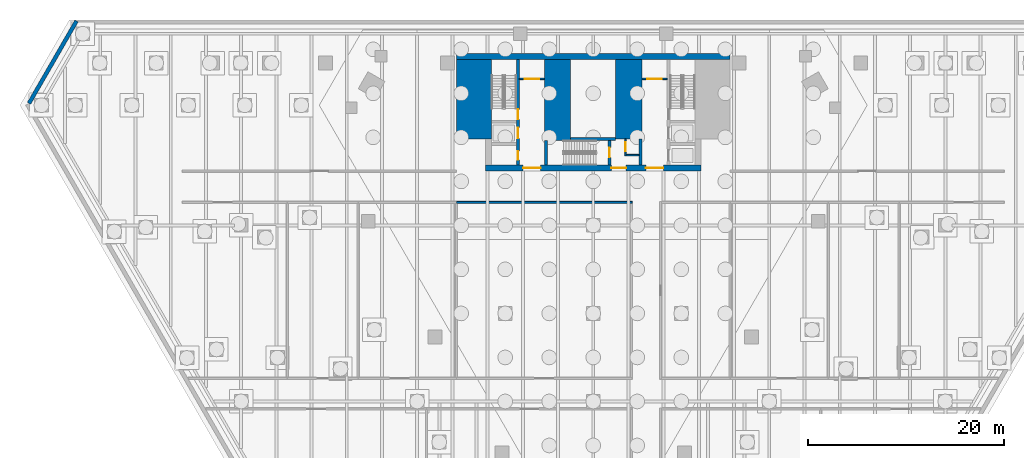
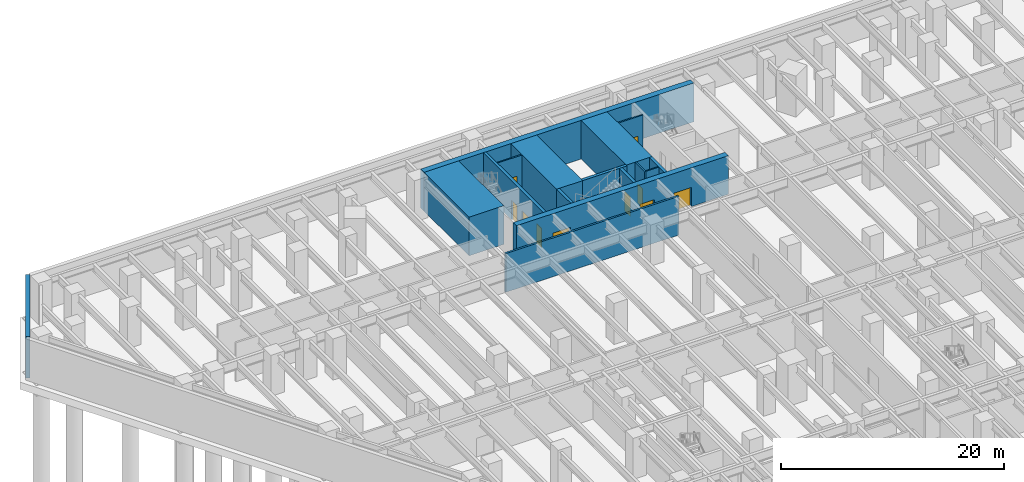
# One storey, part 12 of 18: 16 walls, 10 doors, 10 openings.
"""IFC4 building model written with IfcOpenShell, lengths in metres."""

from ifc_helpers import new_model, si_unit, direction, frame, frame_2d, origin, place, context, subcontext, project, spatial, rectangle, extrude, material, layer, layer_set, type_object, element, fill, save


model = new_model("IFC4")

# Units and contexts
model_context = context("Model", 3, precision=1e-05, world=origin(), true_north=direction((0.0, 1.0)))
body_context = subcontext(model_context, "Body", "Model", "MODEL_VIEW")
ifc_project = project(units=[si_unit("LENGTHUNIT", "METRE"), si_unit("AREAUNIT", "SQUARE_METRE"), si_unit("VOLUMEUNIT", "CUBIC_METRE"), si_unit("PLANEANGLEUNIT", "RADIAN"), si_unit("MASSUNIT", "GRAM", prefix="KILO")], contexts=[model_context])

# Site, building, storey
site_placement = place(None, origin())
site = spatial("IfcSite", under=ifc_project, at=site_placement, CompositionType="ELEMENT")
building_placement = place(site_placement, origin())
building = spatial("IfcBuilding", under=site, at=building_placement, Name="Aloe Facet Convention Tower", CompositionType="ELEMENT")
storey_placement = place(building_placement, frame((0.0, 0.0, -9.0)))
storey = spatial("IfcBuildingStorey", under=building, at=storey_placement, Name="B2", CompositionType="ELEMENT", Elevation=-9.0)

# Wall, opening, door
ifc_material_1 = material(Name="Concrete blockwork partition", Category="masonry")
ifc_layer_1 = layer(ifc_material_1, 0.14990234375)
ifc_layer_set_1 = layer_set([ifc_layer_1], Name="CR-W-PART150")
wall_type_1 = type_object("IfcWallType", Name="CR-W-PART150", PredefinedType="PARTITIONING", material=ifc_layer_set_1)
wall_1_placement = place(storey_placement, frame((72.449951171875, 131.97509765625, 0.0), z_axis=(0.0, 0.0, 1.0), x_axis=(1.0, 0.0, 0.0)))
wall_1 = element("IfcWall", 1, at=wall_1_placement, inside=storey, type_object=wall_type_1, Name="Core partition B2-008", PredefinedType="PARTITIONING", context=body_context, shape_type="SweptSolid", body=[
    extrude(rectangle(XDim=2.550048828125, YDim=0.14990234375, at=frame_2d((1.27490234375, 0.0))), origin(), (0.0, 0.0, 1.0), 4.25),
])
opening_1_placement = place(wall_1_placement, frame((0.52490234375, 0.0, 0.0)))
opening_1 = element("IfcOpeningElement", 2, at=opening_1_placement, cuts=wall_1, Name="Opening B2-CD08", PredefinedType="OPENING", context=body_context, shape_type="SweptSolid", body=[
    extrude(rectangle(XDim=1.5, YDim=2.10009765625, at=frame_2d((0.75, 1.050048828125))), frame((0.0, 0.0849609375, 0.0), z_axis=(0.0, -1.0, 0.0), x_axis=(1.0, 0.0, 0.0)), (0.0, 0.0, 1.0), 0.169921875),
])
ifc_material_2 = material(Name="Steel fire-resisting door set FD60", Category="steel")
door_type_1 = type_object("IfcDoorType", Name="CR-D-REFUGE-1500-FD60-DD", OperationType="DOUBLE_DOOR_DOUBLE_SWING", PredefinedType="DOOR", material=ifc_material_2)
door_1_placement = place(opening_1_placement, origin())
door_1 = element("IfcDoor", 3, at=door_1_placement, inside=storey, type_object=door_type_1, Name="Core door B2-CD08", OperationType="DOUBLE_DOOR_DOUBLE_SWING", OverallHeight=2.10009765625, OverallWidth=1.5, PredefinedType="DOOR", context=body_context, shape_type="SweptSolid", body=[
    extrude(rectangle(XDim=1.5, YDim=2.10009765625, at=frame_2d((0.75, 1.050048828125))), frame((0.0, 0.02490234375, 0.0), z_axis=(0.0, -1.0, 0.0), x_axis=(1.0, 0.0, 0.0)), (0.0, 0.0, 1.0), 0.050048828125),
])
fill(opening_1, door_1)

wall_2_placement = place(storey_placement, frame((83.27490234375, 125.85009765625, 0.0), z_axis=(0.0, 0.0, 1.0), x_axis=(0.0, -1.0, 0.0)))
wall_2 = element("IfcWall", 4, at=wall_2_placement, inside=storey, type_object=wall_type_1, Name="Core partition B2-014", PredefinedType="PARTITIONING", context=body_context, shape_type="SweptSolid", body=[
    extrude(rectangle(XDim=1.75, YDim=0.14990234375, at=frame_2d((0.875, 0.0))), origin(), (0.0, 0.0, 1.0), 4.25),
])
opening_2_placement = place(wall_2_placement, frame((0.35009765625, 0.0, 0.0)))
opening_2 = element("IfcOpeningElement", 5, at=opening_2_placement, cuts=wall_2, Name="Opening B2-CD06", PredefinedType="OPENING", context=body_context, shape_type="SweptSolid", body=[
    extrude(rectangle(XDim=0.89990234375, YDim=2.10009765625, at=frame_2d((0.449951171875, 1.050048828125))), frame((0.0, 0.0849609375, 0.0), z_axis=(0.0, -1.0, 0.0), x_axis=(1.0, 0.0, 0.0)), (0.0, 0.0, 1.0), 0.169921875),
])
ifc_material_3 = material(Name="Steel fire-resisting door set FD60", Category="steel")
door_type_2 = type_object("IfcDoorType", Name="CR-D-REFUGE-900-FD60-SRIGHT", OperationType="SINGLE_SWING_RIGHT", PredefinedType="DOOR", material=ifc_material_3)
door_2_placement = place(opening_2_placement, origin())
door_2 = element("IfcDoor", 6, at=door_2_placement, inside=storey, type_object=door_type_2, Name="Core door B2-CD06", OperationType="SINGLE_SWING_RIGHT", OverallHeight=2.10009765625, OverallWidth=0.89990234375, PredefinedType="DOOR", context=body_context, shape_type="SweptSolid", body=[
    extrude(rectangle(XDim=0.89990234375, YDim=2.10009765625, at=frame_2d((0.449951171875, 1.050048828125))), frame((0.0, 0.02490234375, 0.0), z_axis=(0.0, -1.0, 0.0), x_axis=(1.0, 0.0, 0.0)), (0.0, 0.0, 1.0), 0.050048828125),
])
fill(opening_2, door_2)

# Wall
wall_3_placement = place(storey_placement, frame((83.35009765625, 124.175048828125, 0.0), z_axis=(0.0, 0.0, 1.0), x_axis=(1.0, 0.0, 0.0)))
element("IfcWall", 7, at=wall_3_placement, inside=storey, type_object=wall_type_1, Name="Core partition B2-015", PredefinedType="PARTITIONING", context=body_context, shape_type="SweptSolid", body=[
    extrude(rectangle(XDim=1.349853515625, YDim=0.14990234375, at=frame_2d((0.6748046875, 0.0))), origin(), (0.0, 0.0, 1.0), 4.25),
])

# Wall, opening, door
wall_4_placement = place(storey_placement, frame((85.0, 131.97509765625, 0.0), z_axis=(0.0, 0.0, 1.0), x_axis=(1.0, 0.0, 0.0)))
wall_4 = element("IfcWall", 8, at=wall_4_placement, inside=storey, type_object=wall_type_1, Name="Core partition B2-017", PredefinedType="PARTITIONING", context=body_context, shape_type="SweptSolid", body=[
    extrude(rectangle(XDim=2.550048828125, YDim=0.14990234375, at=frame_2d((1.27490234375, 0.0))), origin(), (0.0, 0.0, 1.0), 4.25),
])
opening_3_placement = place(wall_4_placement, frame((0.52490234375, 0.0, 0.0)))
opening_3 = element("IfcOpeningElement", 9, at=opening_3_placement, cuts=wall_4, Name="Opening B2-CD07", PredefinedType="OPENING", context=body_context, shape_type="SweptSolid", body=[
    extrude(rectangle(XDim=1.5, YDim=2.10009765625, at=frame_2d((0.75, 1.050048828125))), frame((0.0, 0.0849609375, 0.0), z_axis=(0.0, -1.0, 0.0), x_axis=(1.0, 0.0, 0.0)), (0.0, 0.0, 1.0), 0.169921875),
])
door_3_placement = place(opening_3_placement, origin())
door_3 = element("IfcDoor", 10, at=door_3_placement, inside=storey, type_object=door_type_1, Name="Core door B2-CD07", OperationType="DOUBLE_DOOR_DOUBLE_SWING", OverallHeight=2.10009765625, OverallWidth=1.5, PredefinedType="DOOR", context=body_context, shape_type="SweptSolid", body=[
    extrude(rectangle(XDim=1.5, YDim=2.10009765625, at=frame_2d((0.75, 1.050048828125))), frame((0.0, 0.02490234375, 0.0), z_axis=(0.0, -1.0, 0.0), x_axis=(1.0, 0.0, 0.0)), (0.0, 0.0, 1.0), 0.050048828125),
])
fill(opening_3, door_3)

# Walls
ifc_material_4 = material(Name="Concrete C80/95", Category="concrete")
ifc_layer_2 = layer(ifc_material_4, 2.699951171875)
ifc_layer_set_2 = layer_set([ifc_layer_2], Name="CR-W-RC2700-C8095")
wall_type_2 = type_object("IfcWallType", Name="CR-W-RC2700-C8095", PredefinedType="SOLIDWALL", material=ifc_layer_set_2)
wall_5_placement = place(storey_placement, frame((76.35009765625, 133.949951171875, 0.0), z_axis=(0.0, 0.0, 1.0), x_axis=(0.0, -1.0, 0.0)))
element("IfcWall", 11, at=wall_5_placement, inside=storey, type_object=wall_type_2, Name="Core wall B2-009", PredefinedType="SOLIDWALL", context=body_context, shape_type="SweptSolid", body=[
    extrude(rectangle(XDim=8.25, YDim=2.699951171875, at=frame_2d((4.125, 0.0))), origin(), (0.0, 0.0, 1.0), 4.25),
])
wall_6_placement = place(storey_placement, frame((83.64990234375, 133.949951171875, 0.0), z_axis=(0.0, 0.0, 1.0), x_axis=(0.0, -1.0, 0.0)))
element("IfcWall", 12, at=wall_6_placement, inside=storey, type_object=wall_type_2, Name="Core wall B2-013", PredefinedType="SOLIDWALL", context=body_context, shape_type="SweptSolid", body=[
    extrude(rectangle(XDim=8.099853515625, YDim=2.699951171875, at=frame_2d((4.0498046875, 0.0))), origin(), (0.0, 0.0, 1.0), 4.25),
])

# Wall, openings, doors
ifc_material_5 = material(Name="Concrete C80/95", Category="concrete")
ifc_layer_3 = layer(ifc_material_5, 0.300048828125)
ifc_layer_set_3 = layer_set([ifc_layer_3], Name="CR-W-RC300-C8095")
wall_type_3 = type_object("IfcWallType", Name="CR-W-RC300-C8095", PredefinedType="SOLIDWALL", material=ifc_layer_set_3)
wall_7_placement = place(storey_placement, frame((72.300048828125, 133.949951171875, 0.0), z_axis=(0.0, 0.0, 1.0), x_axis=(0.0, -1.0, 0.0)))
wall_7 = element("IfcWall", 13, at=wall_7_placement, inside=storey, type_object=wall_type_3, Name="Core wall B2-007", PredefinedType="SOLIDWALL", context=body_context, shape_type="SweptSolid", body=[
    extrude(rectangle(XDim=10.800048828125, YDim=0.300048828125, at=frame_2d((5.39990234375, 0.0))), origin(), (0.0, 0.0, 1.0), 4.25),
])
opening_4_placement = place(wall_7_placement, frame((6.949951171875, 0.0, 0.0)))
opening_4 = element("IfcOpeningElement", 14, at=opening_4_placement, cuts=wall_7, Name="Opening LD-FF1-B2", PredefinedType="OPENING", context=body_context, shape_type="SweptSolid", body=[
    extrude(rectangle(XDim=1.10009765625, YDim=2.10009765625, at=frame_2d((0.550048828125, 1.050048828125))), frame((0.0, 0.16015625, 0.0), z_axis=(0.0, -1.0, 0.0), x_axis=(1.0, 0.0, 0.0)), (0.0, 0.0, 1.0), 0.320068359375),
])
opening_5_placement = place(wall_7_placement, frame((9.35009765625, 0.0, 0.0)))
opening_5 = element("IfcOpeningElement", 15, at=opening_5_placement, cuts=wall_7, Name="Opening B2-CD09", PredefinedType="OPENING", context=body_context, shape_type="SweptSolid", body=[
    extrude(rectangle(XDim=0.89990234375, YDim=2.10009765625, at=frame_2d((0.449951171875, 1.050048828125))), frame((0.0, 0.16015625, 0.0), z_axis=(0.0, -1.0, 0.0), x_axis=(1.0, 0.0, 0.0)), (0.0, 0.0, 1.0), 0.320068359375),
])
opening_6_placement = place(wall_7_placement, frame((5.10009765625, 0.0, 0.0)))
opening_6 = element("IfcOpeningElement", 16, at=opening_6_placement, cuts=wall_7, Name="Opening B2-CD10", PredefinedType="OPENING", context=body_context, shape_type="SweptSolid", body=[
    extrude(rectangle(XDim=1.0, YDim=2.10009765625, at=frame_2d((0.5, 1.050048828125))), frame((0.0, 0.16015625, 0.0), z_axis=(0.0, -1.0, 0.0), x_axis=(1.0, 0.0, 0.0)), (0.0, 0.0, 1.0), 0.320068359375),
])
ifc_material_6 = material(Name="Steel fire-resisting door set FD60", Category="steel")
door_type_3 = type_object("IfcDoorType", Name="CR-D-ROOM-900-FD60-SLEFT", OperationType="SINGLE_SWING_LEFT", PredefinedType="DOOR", material=ifc_material_6)
door_4_placement = place(opening_5_placement, origin())
door_4 = element("IfcDoor", 17, at=door_4_placement, inside=storey, type_object=door_type_3, Name="Core door B2-CD09", OperationType="SINGLE_SWING_LEFT", OverallHeight=2.10009765625, OverallWidth=0.89990234375, PredefinedType="DOOR", context=body_context, shape_type="SweptSolid", body=[
    extrude(rectangle(XDim=0.89990234375, YDim=2.10009765625, at=frame_2d((0.449951171875, 1.050048828125))), frame((0.0, 0.02490234375, 0.0), z_axis=(0.0, -1.0, 0.0), x_axis=(1.0, 0.0, 0.0)), (0.0, 0.0, 1.0), 0.050048828125),
])
fill(opening_5, door_4)
ifc_material_7 = material(Name="Steel fire-resisting door set FD120", Category="steel")
door_type_4 = type_object("IfcDoorType", Name="CR-D-STAIR-1000-FD120-SRIGHT", OperationType="SINGLE_SWING_RIGHT", PredefinedType="DOOR", material=ifc_material_7)
door_5_placement = place(opening_6_placement, origin())
door_5 = element("IfcDoor", 18, at=door_5_placement, inside=storey, type_object=door_type_4, Name="Core door B2-CD10", OperationType="SINGLE_SWING_RIGHT", OverallHeight=2.10009765625, OverallWidth=1.0, PredefinedType="DOOR", context=body_context, shape_type="SweptSolid", body=[
    extrude(rectangle(XDim=1.0, YDim=2.10009765625, at=frame_2d((0.5, 1.050048828125))), frame((0.0, 0.02490234375, 0.0), z_axis=(0.0, -1.0, 0.0), x_axis=(1.0, 0.0, 0.0)), (0.0, 0.0, 1.0), 0.050048828125),
])
fill(opening_6, door_5)
ifc_material_8 = material(Name="Stainless steel sliding landing door", Category="steel")
door_type_5 = type_object("IfcDoorType", Name="CR-LD-1100-FD120-_LEFT", OperationType="SLIDING_TO_LEFT", PredefinedType="DOOR", material=ifc_material_8)
door_6_placement = place(opening_4_placement, origin())
door_6 = element("IfcDoor", 19, at=door_6_placement, inside=storey, type_object=door_type_5, Name="Landing door FF1 B2", OperationType="SLIDING_TO_LEFT", OverallHeight=2.10009765625, OverallWidth=1.10009765625, PredefinedType="DOOR", context=body_context, shape_type="SweptSolid", body=[
    extrude(rectangle(XDim=1.10009765625, YDim=2.10009765625, at=frame_2d((0.550048828125, 1.050048828125))), frame((0.0, 0.02490234375, 0.0), z_axis=(0.0, -1.0, 0.0), x_axis=(1.0, 0.0, 0.0)), (0.0, 0.0, 1.0), 0.050048828125),
])
fill(opening_4, door_6)

# Walls
wall_8_placement = place(storey_placement, frame((75.14990234375, 125.699951171875, 0.0), z_axis=(0.0, 0.0, 1.0), x_axis=(0.0, -1.0, 0.0)))
element("IfcWall", 20, at=wall_8_placement, inside=storey, type_object=wall_type_3, Name="Core wall B2-010", PredefinedType="SOLIDWALL", context=body_context, shape_type="SweptSolid", body=[
    extrude(rectangle(XDim=2.550048828125, YDim=0.300048828125, at=frame_2d((1.27490234375, 0.0))), origin(), (0.0, 0.0, 1.0), 4.25),
])
wall_9_placement = place(storey_placement, frame((77.699951171875, 125.85009765625, 0.0), z_axis=(0.0, 0.0, 1.0), x_axis=(1.0, 0.0, 0.0)))
element("IfcWall", 21, at=wall_9_placement, inside=storey, type_object=wall_type_3, Name="Core wall B2-011", PredefinedType="SOLIDWALL", context=body_context, shape_type="SweptSolid", body=[
    extrude(rectangle(XDim=4.60009765625, YDim=0.300048828125, at=frame_2d((2.300048828125, 0.0))), origin(), (0.0, 0.0, 1.0), 4.25),
])

# Wall, opening, door
wall_10_placement = place(storey_placement, frame((81.64990234375, 125.699951171875, 0.0), z_axis=(0.0, 0.0, 1.0), x_axis=(0.0, -1.0, 0.0)))
wall_10 = element("IfcWall", 22, at=wall_10_placement, inside=storey, type_object=wall_type_3, Name="Core wall B2-012", PredefinedType="SOLIDWALL", context=body_context, shape_type="SweptSolid", body=[
    extrude(rectangle(XDim=2.550048828125, YDim=0.300048828125, at=frame_2d((1.27490234375, 0.0))), origin(), (0.0, 0.0, 1.0), 4.25),
])
opening_7_placement = place(wall_10_placement, frame((0.75, 0.0, 0.0)))
opening_7 = element("IfcOpeningElement", 23, at=opening_7_placement, cuts=wall_10, Name="Opening B2-CD12", PredefinedType="OPENING", context=body_context, shape_type="SweptSolid", body=[
    extrude(rectangle(XDim=1.0, YDim=2.10009765625, at=frame_2d((0.5, 1.050048828125))), frame((0.0, 0.16015625, 0.0), z_axis=(0.0, -1.0, 0.0), x_axis=(1.0, 0.0, 0.0)), (0.0, 0.0, 1.0), 0.320068359375),
])
ifc_material_9 = material(Name="Steel fire-resisting door set FD120", Category="steel")
door_type_6 = type_object("IfcDoorType", Name="CR-D-STAIR-1000-FD120-SLEFT", OperationType="SINGLE_SWING_LEFT", PredefinedType="DOOR", material=ifc_material_9)
door_7_placement = place(opening_7_placement, origin())
door_7 = element("IfcDoor", 24, at=door_7_placement, inside=storey, type_object=door_type_6, Name="Core door B2-CD12", OperationType="SINGLE_SWING_LEFT", OverallHeight=2.10009765625, OverallWidth=1.0, PredefinedType="DOOR", context=body_context, shape_type="SweptSolid", body=[
    extrude(rectangle(XDim=1.0, YDim=2.10009765625, at=frame_2d((0.5, 1.050048828125))), frame((0.0, 0.02490234375, 0.0), z_axis=(0.0, -1.0, 0.0), x_axis=(1.0, 0.0, 0.0)), (0.0, 0.0, 1.0), 0.050048828125),
])
fill(opening_7, door_7)

# Walls
wall_11_placement = place(storey_placement, frame((84.85009765625, 125.85009765625, 0.0), z_axis=(0.0, 0.0, 1.0), x_axis=(0.0, -1.0, 0.0)))
element("IfcWall", 25, at=wall_11_placement, inside=storey, type_object=wall_type_3, Name="Core wall B2-016", PredefinedType="SOLIDWALL", context=body_context, shape_type="SweptSolid", body=[
    extrude(rectangle(XDim=2.7001953125, YDim=0.300048828125, at=frame_2d((1.35009765625, 0.0))), origin(), (0.0, 0.0, 1.0), 4.25),
])
ifc_material_10 = material(Name="Concrete C80/95", Category="concrete")
ifc_layer_4 = layer(ifc_material_10, 3.60009765625)
ifc_layer_set_4 = layer_set([ifc_layer_4], Name="CR-W-RC3600-C8095")
wall_type_4 = type_object("IfcWallType", Name="CR-W-RC3600-C8095", PredefinedType="SOLIDWALL", material=ifc_layer_set_4)
wall_12_placement = place(storey_placement, frame((67.800048828125, 133.949951171875, 0.0), z_axis=(0.0, 0.0, 1.0), x_axis=(0.0, -1.0, 0.0)))
element("IfcWall", 26, at=wall_12_placement, inside=storey, type_object=wall_type_4, Name="Core wall B2-002", PredefinedType="SOLIDWALL", context=body_context, shape_type="SweptSolid", body=[
    extrude(rectangle(XDim=8.099853515625, YDim=3.60009765625, at=frame_2d((4.0498046875, 0.0))), origin(), (0.0, 0.0, 1.0), 4.25),
])
ifc_material_11 = material(Name="Concrete C80/95", Category="concrete")
ifc_layer_5 = layer(ifc_material_11, 0.60009765625)
ifc_layer_set_5 = layer_set([ifc_layer_5], Name="CR-W-RC600-C8095")
wall_type_5 = type_object("IfcWallType", Name="CR-W-RC600-C8095", PredefinedType="SOLIDWALL", material=ifc_layer_set_5)
wall_13_placement = place(storey_placement, frame((66.0, 134.25, 0.0), z_axis=(0.0, 0.0, 1.0), x_axis=(1.0, 0.0, 0.0)))
element("IfcWall", 27, at=wall_13_placement, inside=storey, type_object=wall_type_5, Name="Core wall B2-001", PredefinedType="SOLIDWALL", context=body_context, shape_type="SweptSolid", body=[
    extrude(rectangle(XDim=28.0, YDim=0.60009765625, at=frame_2d((14.0, 0.0))), origin(), (0.0, 0.0, 1.0), 4.25),
])

# Wall, openings, doors
wall_14_placement = place(storey_placement, frame((69.0, 122.85009765625, 0.0), z_axis=(0.0, 0.0, 1.0), x_axis=(1.0, 0.0, 0.0)))
wall_14 = element("IfcWall", 28, at=wall_14_placement, inside=storey, type_object=wall_type_5, Name="Core wall B2-004", PredefinedType="SOLIDWALL", context=body_context, shape_type="SweptSolid", body=[
    extrude(rectangle(XDim=22.0, YDim=0.60009765625, at=frame_2d((11.0, 0.0))), origin(), (0.0, 0.0, 1.0), 4.25),
])
opening_8_placement = place(wall_14_placement, frame((16.375, 0.0, 0.0)))
opening_8 = element("IfcOpeningElement", 29, at=opening_8_placement, cuts=wall_14, Name="Opening B2-CD03", PredefinedType="OPENING", context=body_context, shape_type="SweptSolid", body=[
    extrude(rectangle(XDim=1.800048828125, YDim=2.10009765625, at=frame_2d((0.89990234375, 1.050048828125))), frame((0.0, 0.31005859375, 0.0), z_axis=(0.0, -1.0, 0.0), x_axis=(1.0, 0.0, 0.0)), (0.0, 0.0, 1.0), 0.6201171875),
])
opening_9_placement = place(wall_14_placement, frame((3.824951171875, 0.0, 0.0)))
opening_9 = element("IfcOpeningElement", 30, at=opening_9_placement, cuts=wall_14, Name="Opening B2-CD04", PredefinedType="OPENING", context=body_context, shape_type="SweptSolid", body=[
    extrude(rectangle(XDim=1.800048828125, YDim=2.10009765625, at=frame_2d((0.89990234375, 1.050048828125))), frame((0.0, 0.31005859375, 0.0), z_axis=(0.0, -1.0, 0.0), x_axis=(1.0, 0.0, 0.0)), (0.0, 0.0, 1.0), 0.6201171875),
])
opening_10_placement = place(wall_14_placement, frame((12.85009765625, 0.0, 0.0)))
opening_10 = element("IfcOpeningElement", 31, at=opening_10_placement, cuts=wall_14, Name="Opening B2-CD05", PredefinedType="OPENING", context=body_context, shape_type="SweptSolid", body=[
    extrude(rectangle(XDim=1.5, YDim=2.10009765625, at=frame_2d((0.75, 1.050048828125))), frame((0.0, 0.31005859375, 0.0), z_axis=(0.0, -1.0, 0.0), x_axis=(1.0, 0.0, 0.0)), (0.0, 0.0, 1.0), 0.6201171875),
])
ifc_material_12 = material(Name="Steel fire-resisting door set FD60", Category="steel")
door_type_7 = type_object("IfcDoorType", Name="CR-D-EXIT-1500-FD60-DD", OperationType="DOUBLE_DOOR_DOUBLE_SWING", PredefinedType="DOOR", material=ifc_material_12)
door_8_placement = place(opening_10_placement, origin())
door_8 = element("IfcDoor", 32, at=door_8_placement, inside=storey, type_object=door_type_7, Name="Core door B2-CD05", OperationType="DOUBLE_DOOR_DOUBLE_SWING", OverallHeight=2.10009765625, OverallWidth=1.5, PredefinedType="DOOR", context=body_context, shape_type="SweptSolid", body=[
    extrude(rectangle(XDim=1.5, YDim=2.10009765625, at=frame_2d((0.75, 1.050048828125))), frame((0.0, 0.02490234375, 0.0), z_axis=(0.0, -1.0, 0.0), x_axis=(1.0, 0.0, 0.0)), (0.0, 0.0, 1.0), 0.050048828125),
])
fill(opening_10, door_8)
ifc_material_13 = material(Name="Steel fire-resisting door set FD120", Category="steel")
door_type_8 = type_object("IfcDoorType", Name="CR-D-EXIT-1800-FD120-DD", OperationType="DOUBLE_DOOR_DOUBLE_SWING", PredefinedType="DOOR", material=ifc_material_13)
door_9_placement = place(opening_8_placement, origin())
door_9 = element("IfcDoor", 33, at=door_9_placement, inside=storey, type_object=door_type_8, Name="Core door B2-CD03", OperationType="DOUBLE_DOOR_DOUBLE_SWING", OverallHeight=2.10009765625, OverallWidth=1.800048828125, PredefinedType="DOOR", context=body_context, shape_type="SweptSolid", body=[
    extrude(rectangle(XDim=1.800048828125, YDim=2.10009765625, at=frame_2d((0.89990234375, 1.050048828125))), frame((0.0, 0.02490234375, 0.0), z_axis=(0.0, -1.0, 0.0), x_axis=(1.0, 0.0, 0.0)), (0.0, 0.0, 1.0), 0.050048828125),
])
fill(opening_8, door_9)
door_10_placement = place(opening_9_placement, origin())
door_10 = element("IfcDoor", 34, at=door_10_placement, inside=storey, type_object=door_type_8, Name="Core door B2-CD04", OperationType="DOUBLE_DOOR_DOUBLE_SWING", OverallHeight=2.10009765625, OverallWidth=1.800048828125, PredefinedType="DOOR", context=body_context, shape_type="SweptSolid", body=[
    extrude(rectangle(XDim=1.800048828125, YDim=2.10009765625, at=frame_2d((0.89990234375, 1.050048828125))), frame((0.0, 0.02490234375, 0.0), z_axis=(0.0, -1.0, 0.0), x_axis=(1.0, 0.0, 0.0)), (0.0, 0.0, 1.0), 0.050048828125),
])
fill(opening_9, door_10)

# Walls
ifc_material_14 = material(Name="Masonry blockwork wall, plastered", Category="masonry")
ifc_layer_6 = layer(ifc_material_14, 0.199951171875)
ifc_layer_set_6 = layer_set([ifc_layer_6], Name="IN-POD-W-PLANT")
wall_type_6 = type_object("IfcWallType", Name="IN-POD-W-PLANT", PredefinedType="PARTITIONING", material=ifc_layer_set_6)
wall_15_placement = place(storey_placement, frame((66.0, 119.35009765625, 0.0), z_axis=(0.0, 0.0, 1.0), x_axis=(1.0, 0.0, 0.0)))
element("IfcWall", 35, at=wall_15_placement, inside=storey, type_object=wall_type_6, Name="Partition B2-W050", PredefinedType="PARTITIONING", context=body_context, shape_type="SweptSolid", body=[
    extrude(rectangle(XDim=17.97509765625, YDim=0.199951171875, at=frame_2d((8.987548828125, 0.0))), origin(), (0.0, 0.0, 1.0), 4.25),
])
ifc_material_15 = material(Name="Concrete C40/50", Category="concrete")
ifc_layer_7 = layer(ifc_material_15, 0.39990234375)
ifc_layer_set_7 = layer_set([ifc_layer_7], Name="SF-RW-400")
wall_type_7 = type_object("IfcWallType", Name="SF-RW-400", PredefinedType="SOLIDWALL", material=ifc_layer_set_7)
wall_16_placement = place(storey_placement, frame((22.311767578125, 129.47900390625, -0.300048828125), z_axis=(0.0, 0.0, 1.0), x_axis=(0.500000649954, 0.866025028533, 0.0)))
element("IfcWall", 36, at=wall_16_placement, inside=storey, type_object=wall_type_7, Name="RETAINING WALL B2-04", PredefinedType="SOLIDWALL", context=body_context, shape_type="SweptSolid", body=[
    extrude(rectangle(XDim=9.7236328125, YDim=0.39990234375, at=frame_2d((4.86181640625, 0.0))), origin(), (0.0, 0.0, 1.0), 4.550048828125),
])

save(model, "model.ifc")
